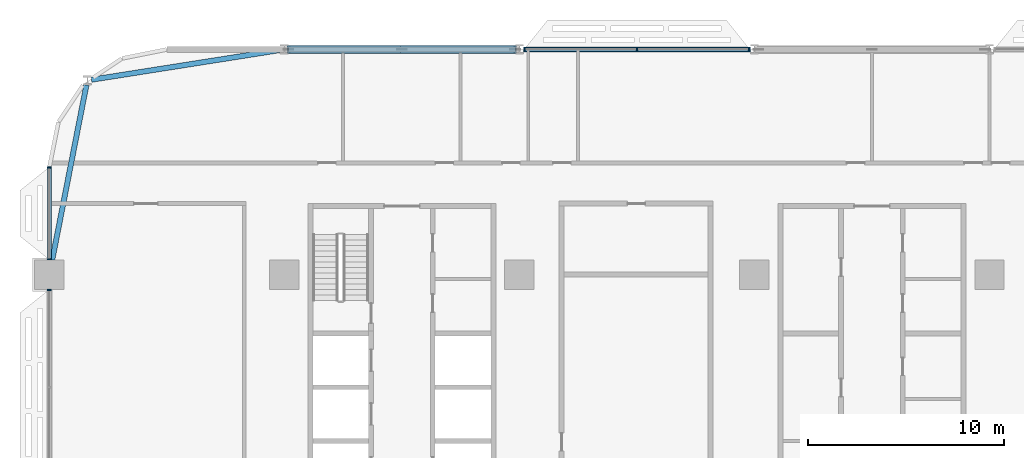
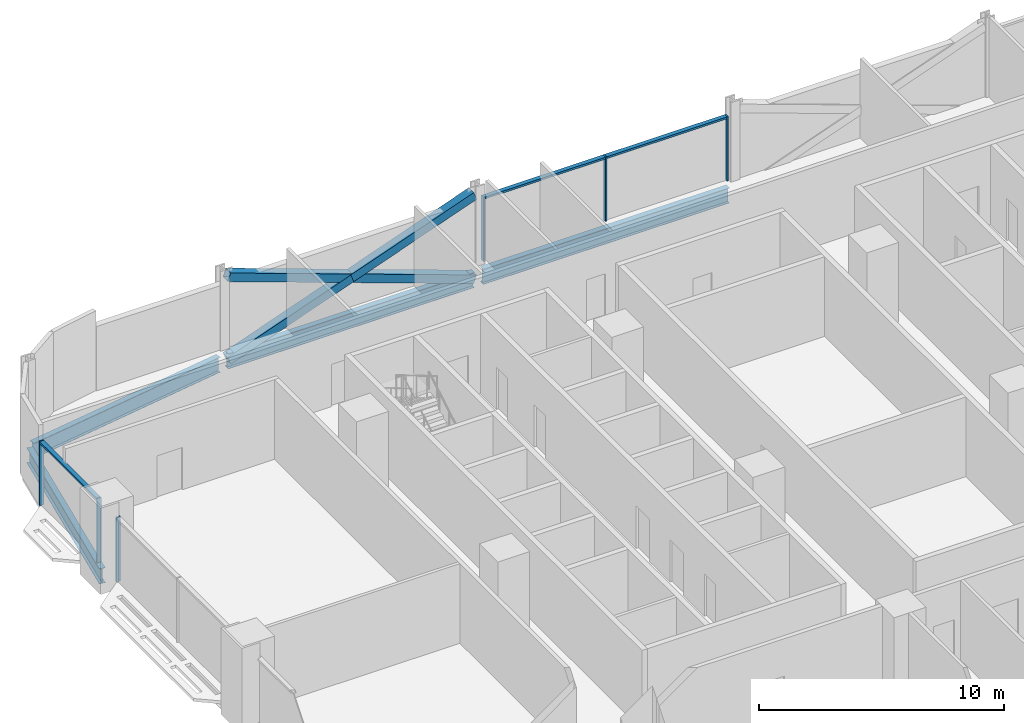
# One storey, part 6 of 29: 12 members, 4 beams, 3 elements without a shape of their own.
"""IFC4 building model written with IfcOpenShell, lengths in metres."""

from ifc_helpers import new_model, si_unit, direction, frame, origin, origin_2d, place, context, subcontext, project, spatial, rectangle, hollow_rectangle, i_section, extrude, material, material_profile, profile_set, type_object, element, aggregate, save


model = new_model("IFC4")

# Units and contexts
model_context = context("Model", 3, precision=1e-05, world=origin(), true_north=direction((0.0, 1.0)))
body_context = subcontext(model_context, "Body", "Model", "MODEL_VIEW")
ifc_project = project(units=[si_unit("LENGTHUNIT", "METRE"), si_unit("AREAUNIT", "SQUARE_METRE"), si_unit("VOLUMEUNIT", "CUBIC_METRE"), si_unit("PLANEANGLEUNIT", "RADIAN"), si_unit("MASSUNIT", "GRAM", prefix="KILO")], contexts=[model_context])

# Site, building, storey
site_placement = place(None, origin())
site = spatial("IfcSite", under=ifc_project, at=site_placement, CompositionType="ELEMENT")
building_placement = place(site_placement, origin())
building = spatial("IfcBuilding", under=site, at=building_placement, Name="Mahtab Terrace Research Tower", CompositionType="ELEMENT")
storey_placement = place(building_placement, frame((0.0, 0.0, 67.5)))
storey = spatial("IfcBuildingStorey", under=building, at=storey_placement, Name="L15", CompositionType="ELEMENT", Elevation=67.5)

# Members
ifc_material_1 = material(Name="Steel ASTM A500 Gr C", Category="steel")
ifc_material_profile_1 = material_profile(ifc_material_1, hollow_rectangle(XDim=0.406494140625, YDim=0.406494140625, WallThickness=0.01904296875, at=origin_2d()), Name="HSS16X16X3/4")
ifc_profile_set_1 = profile_set([ifc_material_profile_1], Name="Steel ASTM A500 Gr C")
member_type_1 = type_object("IfcMemberType", Name="HSS 16x16x3/4 brace XB161634", PredefinedType="BRACE", material=ifc_profile_set_1)
member_1_placement = place(storey_placement, frame((-18.212158203125, 23.0, -0.642333984375), z_axis=(-0.941386519928, 0.0, 0.337329838731), x_axis=(0.0, -1.0, 0.0)))
element("IfcMember", 1, at=member_1_placement, inside=storey, type_object=member_type_1, Name="Exoskeleton brace L15 07 a", PredefinedType="BRACE", context=body_context, shape_type="SweptSolid", body=[
    extrude(hollow_rectangle(XDim=0.406494140625, YDim=0.406494140625, WallThickness=0.01904296875, at=origin_2d()), origin(), (0.0, 0.0, 1.0), 12.29638671875),
])
for number, where, z_axis, x_axis, name in (
    (2, (-29.787841796875, 23.0, -0.642333984375), (0.941386519928, 0.0, 0.337329838731), (0.0, 1.0, 0.0), "Exoskeleton brace L15 07 b1"),
    (3, (-24.0, 23.0, 1.431640625), (0.941386519928, 0.0, 0.337329838731), (0.0, 1.0, 0.0), "Exoskeleton brace L15 07 b2"),
):
    element("IfcMember", number, at=place(storey_placement, frame(where, z_axis=z_axis, x_axis=x_axis)), inside=storey, type_object=member_type_1, Name=name, PredefinedType="BRACE", context=body_context, shape_type="SweptSolid", body=[
        extrude(hollow_rectangle(XDim=0.406494140625, YDim=0.406494140625, WallThickness=0.01904296875, at=origin_2d()), origin(), (0.0, 0.0, 1.0), 6.148193359375),
    ])

# Curtain wall, members
ifc_material_2 = material(Name="Laboratory ribbon curtain wall")
curtain_wall_type = type_object("IfcCurtainWallType", Name="Laboratory ribbon curtain wall", PredefinedType="NOTDEFINED", material=ifc_material_2)
curtain_wall_1_placement = place(storey_placement, origin())
curtain_wall_1 = element("IfcCurtainWall", 4, at=curtain_wall_1_placement, inside=storey, type_object=curtain_wall_type, Name="EN.L15.3.8", PredefinedType="NOTDEFINED")
ifc_material_3 = material(Name="Natural anodised aluminium", Category="aluminium")
ifc_material_profile_2 = material_profile(ifc_material_3, rectangle(XDim=0.199951171875, YDim=0.06494140625, at=origin_2d()), Name="MULLION 65x200")
ifc_profile_set_2 = profile_set([ifc_material_profile_2], Name="Natural anodised aluminium")
member_type_2 = type_object("IfcMemberType", Name="Laboratory ribbon curtain wall mullion", PredefinedType="MULLION", material=ifc_profile_set_2)
member_2_placement = place(storey_placement, frame((-6.2705078125, 23.0, 0.0), z_axis=(0.0, 0.0, 1.0), x_axis=(0.0, -1.0, 0.0)))
member_2 = element("IfcMember", 5, at=member_2_placement, type_object=member_type_2, Name="CWL-2 mullion 1", PredefinedType="MULLION", context=body_context, shape_type="SweptSolid", body=[
    extrude(rectangle(XDim=0.199951171875, YDim=0.06494140625, at=origin_2d()), origin(), (0.0, 0.0, 1.0), 3.203125),
])
member_3_placement = place(storey_placement, frame((-12.0, 23.0, 0.0), z_axis=(0.0, 0.0, 1.0), x_axis=(0.0, -1.0, 0.0)))
member_3 = element("IfcMember", 6, at=member_3_placement, type_object=member_type_2, Name="CWL-2 mullion 2", PredefinedType="MULLION", context=body_context, shape_type="SweptSolid", body=[
    extrude(rectangle(XDim=0.199951171875, YDim=0.06494140625, at=origin_2d()), origin(), (0.0, 0.0, 1.0), 3.203125),
])
member_4_placement = place(storey_placement, frame((-17.7294921875, 23.0, 0.0), z_axis=(0.0, 0.0, 1.0), x_axis=(0.0, -1.0, 0.0)))
member_4 = element("IfcMember", 7, at=member_4_placement, type_object=member_type_2, Name="CWL-2 mullion 3", PredefinedType="MULLION", context=body_context, shape_type="SweptSolid", body=[
    extrude(rectangle(XDim=0.199951171875, YDim=0.06494140625, at=origin_2d()), origin(), (0.0, 0.0, 1.0), 3.203125),
])

curtain_wall_2_placement = place(storey_placement, origin())
curtain_wall_2 = element("IfcCurtainWall", 8, at=curtain_wall_2_placement, inside=storey, type_object=curtain_wall_type, Name="EN.L15.8.15", PredefinedType="NOTDEFINED")
member_5_placement = place(storey_placement, frame((-42.0, 16.967529296875, 0.0), z_axis=(0.0, 0.0, 1.0), x_axis=(1.0, 0.0, 0.0)))
member_5 = element("IfcMember", 9, at=member_5_placement, type_object=member_type_2, Name="CWL-2 mullion 1", PredefinedType="MULLION", context=body_context, shape_type="SweptSolid", body=[
    extrude(rectangle(XDim=0.199951171875, YDim=0.06494140625, at=origin_2d()), origin(), (0.0, 0.0, 1.0), 3.203125),
])
member_6_placement = place(storey_placement, frame((-42.0, 12.282470703125, 0.0), z_axis=(0.0, 0.0, 1.0), x_axis=(1.0, 0.0, 0.0)))
member_6 = element("IfcMember", 10, at=member_6_placement, type_object=member_type_2, Name="CWL-2 mullion 2", PredefinedType="MULLION", context=body_context, shape_type="SweptSolid", body=[
    extrude(rectangle(XDim=0.199951171875, YDim=0.06494140625, at=origin_2d()), origin(), (0.0, 0.0, 1.0), 3.203125),
])

# Curtain wall, member
curtain_wall_3_placement = place(storey_placement, origin())
curtain_wall_3 = element("IfcCurtainWall", 11, at=curtain_wall_3_placement, inside=storey, type_object=curtain_wall_type, Name="EN.L15.8.16", PredefinedType="NOTDEFINED")
member_7_placement = place(storey_placement, frame((-42.0, 10.717529296875, 0.0), z_axis=(0.0, 0.0, 1.0), x_axis=(1.0, 0.0, 0.0)))
member_7 = element("IfcMember", 12, at=member_7_placement, type_object=member_type_2, Name="CWL-2 mullion 1", PredefinedType="MULLION", context=body_context, shape_type="SweptSolid", body=[
    extrude(rectangle(XDim=0.199951171875, YDim=0.06494140625, at=origin_2d()), origin(), (0.0, 0.0, 1.0), 3.203125),
])
aggregate(curtain_wall_3, [member_7])

# Member
ifc_material_profile_3 = material_profile(ifc_material_3, rectangle(XDim=0.199951171875, YDim=0.10009765625, at=origin_2d()), Name="TRANSOM 100x200")
ifc_profile_set_3 = profile_set([ifc_material_profile_3], Name="Natural anodised aluminium")
member_type_3 = type_object("IfcMemberType", Name="Laboratory ribbon curtain wall transom", PredefinedType="USERDEFINED", material=ifc_profile_set_3)
member_8_placement = place(storey_placement, frame((-6.302978515625, 23.0, 3.153076171875), z_axis=(-1.0, 0.0, 0.0), x_axis=(0.0, -1.0, 0.0)))
member_8 = element("IfcMember", 13, at=member_8_placement, type_object=member_type_3, Name="CWL-2 transom 1", ObjectType="TRANSOM", PredefinedType="USERDEFINED", context=body_context, shape_type="SweptSolid", body=[
    extrude(rectangle(XDim=0.199951171875, YDim=0.10009765625, at=origin_2d()), origin(), (0.0, 0.0, 1.0), 5.66455078125),
])

member_9_placement = place(storey_placement, frame((-12.032470703125, 23.0, 3.153076171875), z_axis=(-1.0, 0.0, 0.0), x_axis=(0.0, -1.0, 0.0)))
member_9 = element("IfcMember", 14, at=member_9_placement, type_object=member_type_3, Name="CWL-2 transom 2", ObjectType="TRANSOM", PredefinedType="USERDEFINED", context=body_context, shape_type="SweptSolid", body=[
    extrude(rectangle(XDim=0.199951171875, YDim=0.10009765625, at=origin_2d()), origin(), (0.0, 0.0, 1.0), 5.66455078125),
])

aggregate(curtain_wall_1, [member_2, member_3, member_4, member_8, member_9])

member_10_placement = place(storey_placement, frame((-42.0, 16.93505859375, 3.153076171875), z_axis=(0.0, -1.0, 0.0), x_axis=(1.0, 0.0, 0.0)))
member_10 = element("IfcMember", 15, at=member_10_placement, type_object=member_type_3, Name="CWL-2 transom 1", ObjectType="TRANSOM", PredefinedType="USERDEFINED", context=body_context, shape_type="SweptSolid", body=[
    extrude(rectangle(XDim=0.199951171875, YDim=0.10009765625, at=origin_2d()), origin(), (0.0, 0.0, 1.0), 4.6201171875),
])

aggregate(curtain_wall_2, [member_5, member_6, member_10])

# Beams
ifc_material_4 = material(Name="Steel ASTM A992 Gr 50", Category="steel")
ifc_material_profile_4 = material_profile(ifc_material_4, i_section(OverallWidth=0.2666015625, OverallDepth=0.7568359375, WebThickness=0.013916015625, FlangeThickness=0.019287109375, at=origin_2d()), Name="W30X108")
ifc_profile_set_4 = profile_set([ifc_material_profile_4], Name="Steel ASTM A992 Gr 50")
beam_type = type_object("IfcBeamType", Name="W30x108 beam BS30108", PredefinedType="BEAM", material=ifc_profile_set_4)
for number, where, z_axis, x_axis, name in (
    (16, (-6.212158203125, 23.0, -0.718505859375), (-1.0, 0.0, 0.0), (0.0, -1.0, 0.0), "Spandrel beam L15 06"),
    (17, (-18.212158203125, 23.0, -0.718505859375), (-1.0, 0.0, 0.0), (0.0, -1.0, 0.0), "Spandrel beam L15 07"),
):
    element("IfcBeam", number, at=place(storey_placement, frame(where, z_axis=z_axis, x_axis=x_axis)), inside=storey, type_object=beam_type, Name=name, PredefinedType="BEAM", context=body_context, shape_type="SweptSolid", body=[
        extrude(i_section(OverallWidth=0.2666015625, OverallDepth=0.7568359375, WebThickness=0.013916015625, FlangeThickness=0.019287109375, at=origin_2d()), origin(), (0.0, 0.0, 1.0), 11.57568359375),
    ])
beam_1_placement = place(storey_placement, frame((-30.212158203125, 22.966552734375, -0.718505859375), z_axis=(-0.987836303792, -0.155497385545, 0.0), x_axis=(0.155497385545, -0.987836303792, 0.0)))
element("IfcBeam", 18, at=beam_1_placement, inside=storey, type_object=beam_type, Name="Spandrel beam L15 08", PredefinedType="BEAM", context=body_context, shape_type="SweptSolid", body=[
    extrude(i_section(OverallWidth=0.2666015625, OverallDepth=0.7568359375, WebThickness=0.013916015625, FlangeThickness=0.019287109375, at=origin_2d()), origin(), (0.0, 0.0, 1.0), 9.75634765625),
])
beam_2_placement = place(storey_placement, frame((-40.1083984375, 21.178466796875, -0.718505859375), z_axis=(-0.191825617976, -0.981429025599, 0.0), x_axis=(0.981429025599, -0.191825617976, 0.0)))
element("IfcBeam", 19, at=beam_2_placement, inside=storey, type_object=beam_type, Name="Spandrel beam L15 09", PredefinedType="BEAM", context=body_context, shape_type="SweptSolid", body=[
    extrude(i_section(OverallWidth=0.2666015625, OverallDepth=0.7568359375, WebThickness=0.013916015625, FlangeThickness=0.019287109375, at=origin_2d()), origin(), (0.0, 0.0, 1.0), 9.097412109375),
])

save(model, "model.ifc")
